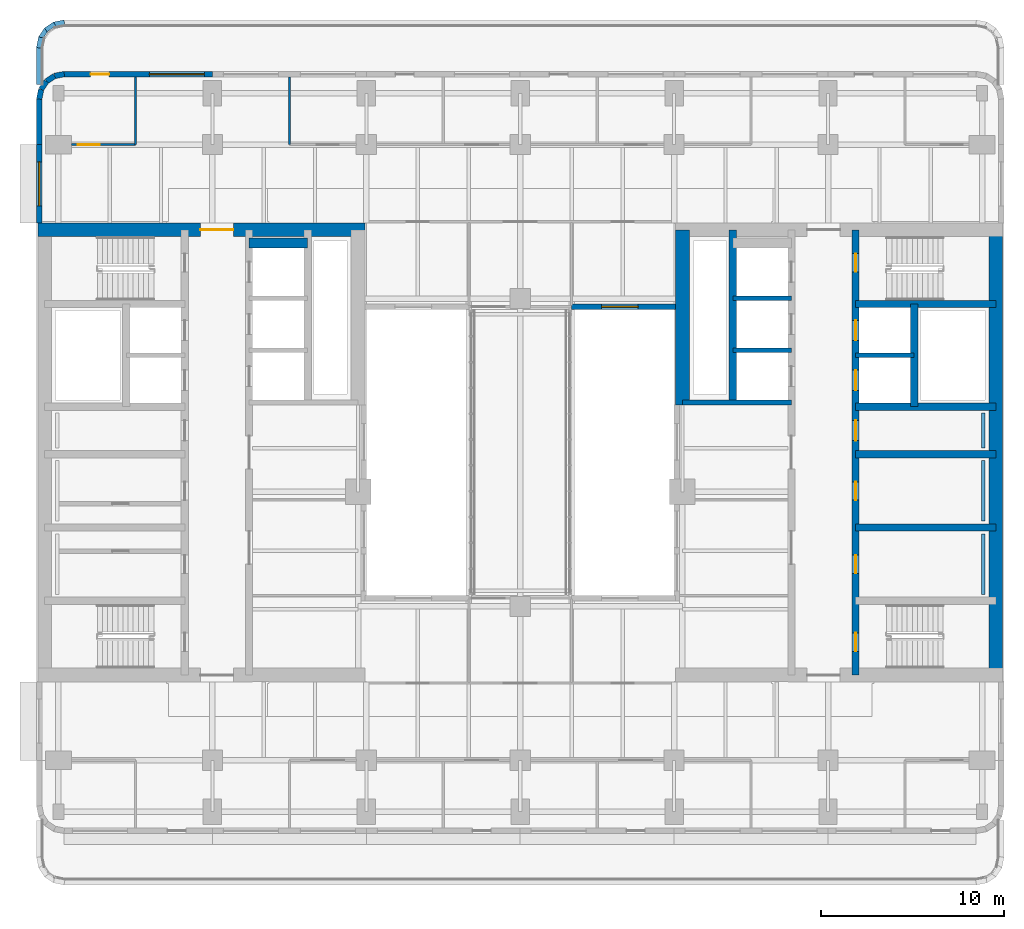
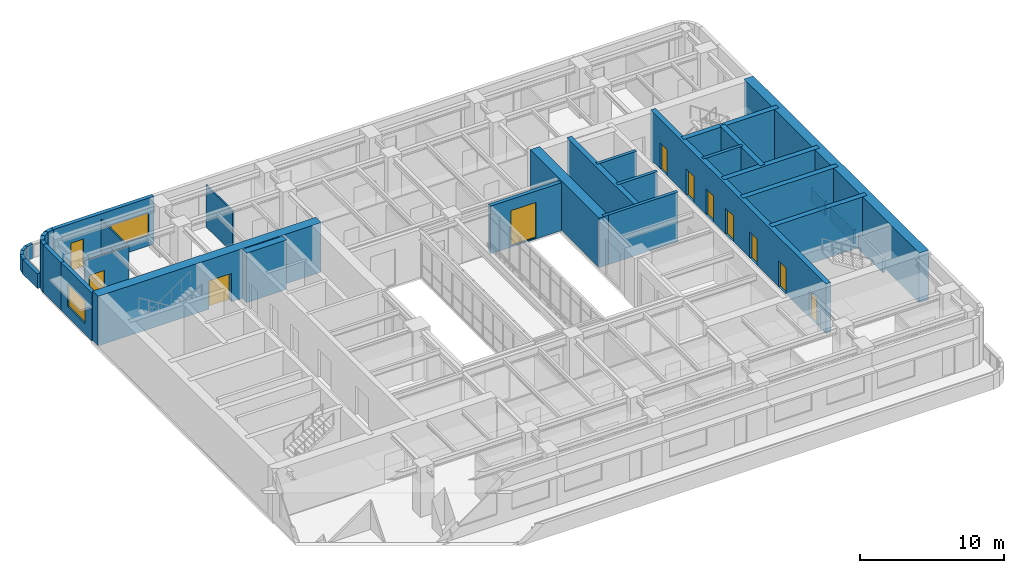
# One storey, part 9 of 15: 34 walls, 10 doors, 3 windows, 13 openings.
"""IFC4 building model written with IfcOpenShell, lengths in metres."""

from ifc_helpers import new_model, si_unit, direction, frame, frame_2d, origin, place, context, subcontext, project, spatial, rectangle, extrude, material, layer, layer_set, type_object, element, fill, save


model = new_model("IFC4")

# Units and contexts
model_context = context("Model", 3, precision=1e-05, world=origin(), true_north=direction((0.0, 1.0)))
body_context = subcontext(model_context, "Body", "Model", "MODEL_VIEW")
ifc_project = project(units=[si_unit("LENGTHUNIT", "METRE"), si_unit("AREAUNIT", "SQUARE_METRE"), si_unit("VOLUMEUNIT", "CUBIC_METRE"), si_unit("PLANEANGLEUNIT", "RADIAN"), si_unit("MASSUNIT", "GRAM", prefix="KILO")], contexts=[model_context])

# Site, building, storey
site_placement = place(None, origin())
site = spatial("IfcSite", under=ifc_project, at=site_placement, CompositionType="ELEMENT")
building_placement = place(site_placement, origin())
building = spatial("IfcBuilding", under=site, at=building_placement, Name="Claustro Exchange Tower", CompositionType="ELEMENT")
storey_placement = place(building_placement, frame((0.0, 0.0, 173.39990234375)))
storey = spatial("IfcBuildingStorey", under=building, at=storey_placement, Name="L39", CompositionType="ELEMENT", Elevation=173.39990234375)

# Wall, opening, door
ifc_material_1 = material(Name="Laminated glass in aluminium frame", Category="aluminium")
ifc_layer_1 = layer(ifc_material_1, 0.1201171875)
ifc_layer_set_1 = layer_set([ifc_layer_1], Name="Laminated glass in aluminium frame")
wall_type_1 = type_object("IfcWallType", Name="P2 120 glazed partition", PredefinedType="PARTITIONING", material=ifc_layer_set_1)
wall_1_placement = place(storey_placement, frame((0.698974609375, 42.0, 0.0), z_axis=(0.0, 0.0, 1.0), x_axis=(1.0, 0.0, 0.0)))
wall_1 = element("IfcWall", 1, at=wall_1_placement, inside=storey, type_object=wall_type_1, Name="Partition P2 L39", PredefinedType="PARTITIONING", context=body_context, shape_type="SweptSolid", body=[
    extrude(rectangle(XDim=3.5009765625, YDim=0.1201171875, at=frame_2d((1.75048828125, 0.0))), origin(), (0.0, 0.0, 1.0), 3.550048828125),
])
opening_1_placement = place(wall_1_placement, frame((0.35107421875, 0.0, 0.0)))
opening_1 = element("IfcOpeningElement", 2, at=opening_1_placement, cuts=wall_1, Name="Opening D6", PredefinedType="OPENING", context=body_context, shape_type="SweptSolid", body=[
    extrude(rectangle(XDim=1.199951171875, YDim=2.199951171875, at=frame_2d((0.60009765625, 1.10009765625))), frame((0.0, 0.070068359375, 0.0), z_axis=(0.0, -1.0, 0.0), x_axis=(1.0, 0.0, 0.0)), (0.0, 0.0, 1.0), 0.14013671875),
])
ifc_material_2 = material(Name="Timber door, oak veneer", Category="wood")
door_type_1 = type_object("IfcDoorType", Name="D6 1200 x 2200 unequal pair door", OperationType="DOUBLE_DOOR_SINGLE_SWING_OPPOSITE_LEFT", PredefinedType="DOOR", material=ifc_material_2)
door_1_placement = place(opening_1_placement, origin())
door_1 = element("IfcDoor", 3, at=door_1_placement, inside=storey, type_object=door_type_1, Name="Door D6 L39", OperationType="DOUBLE_DOOR_SINGLE_SWING_OPPOSITE_LEFT", OverallHeight=2.199951171875, OverallWidth=1.199951171875, PredefinedType="DOOR", context=body_context, shape_type="SweptSolid", body=[
    extrude(rectangle(XDim=1.199951171875, YDim=2.199951171875, at=frame_2d((0.60009765625, 1.10009765625))), frame((0.0, 0.02490234375, 0.0), z_axis=(0.0, -1.0, 0.0), x_axis=(1.0, 0.0, 0.0)), (0.0, 0.0, 1.0), 0.050048828125),
])
fill(opening_1, door_1)

# Walls
for number, where, z_axis, x_axis, name in (
    (4, (4.199951171875, 42.0, 0.0), (0.0, 0.0, 1.0), (0.0, 1.0, 0.0), "Partition P2 L39"),
    (5, (12.60009765625, 42.0, 0.0), (0.0, 0.0, 1.0), (0.0, 1.0, 0.0), "Partition P2 L39"),
):
    element("IfcWall", number, at=place(storey_placement, frame(where, z_axis=z_axis, x_axis=x_axis)), inside=storey, type_object=wall_type_1, Name=name, PredefinedType="PARTITIONING", context=body_context, shape_type="SweptSolid", body=[
        extrude(rectangle(XDim=3.701904296875, YDim=0.1201171875, at=frame_2d((1.85107421875, 0.0))), origin(), (0.0, 0.0, 1.0), 3.550048828125),
    ])

# Wall, opening, window
ifc_material_3 = material(Name="Concrete HA-40 (C40/50), precast, white cement, acid-etched", Category="concrete")
ifc_layer_2 = layer(ifc_material_3, 0.300048828125)
ifc_layer_set_2 = layer_set([ifc_layer_2], Name="Concrete HA-40 (C40/50), precast, white cement, acid-etched")
wall_type_2 = type_object("IfcWallType", Name="PC1 300 precast concrete pier panel", PredefinedType="SOLIDWALL", material=ifc_layer_set_2)
wall_2_placement = place(storey_placement, frame((-1.050048828125, 37.72509765625, 0.0), z_axis=(0.0, 0.0, 1.0), x_axis=(0.0, 1.0, 0.0)))
wall_2 = element("IfcWall", 6, at=wall_2_placement, inside=storey, type_object=wall_type_2, Name="Precast pier panel PC1 L39", PredefinedType="SOLIDWALL", context=body_context, shape_type="SweptSolid", body=[
    extrude(rectangle(XDim=4.27490234375, YDim=0.300048828125, at=frame_2d((2.137451171875, 0.0))), origin(), (0.0, 0.0, 1.0), 4.050048828125),
])
opening_2_placement = place(wall_2_placement, frame((0.9375, 0.0, 0.89990234375)))
opening_2 = element("IfcOpeningElement", 7, at=opening_2_placement, cuts=wall_2, Name="Opening W2", PredefinedType="OPENING", context=body_context, shape_type="SweptSolid", body=[
    extrude(rectangle(XDim=2.39990234375, YDim=1.89990234375, at=frame_2d((1.199951171875, 0.949951171875))), frame((0.0, 0.159912109375, 0.0), z_axis=(0.0, -1.0, 0.0), x_axis=(1.0, 0.0, 0.0)), (0.0, 0.0, 1.0), 0.320068359375),
])
ifc_material_4 = material(Name="Aluminium frame, clear double glazing", Category="aluminium")
window_type_1 = type_object("IfcWindowType", Name="W2 2400 x 1900 window", PartitioningType="SINGLE_PANEL", PredefinedType="WINDOW", material=ifc_material_4)
window_1_placement = place(opening_2_placement, origin())
window_1 = element("IfcWindow", 8, at=window_1_placement, inside=storey, type_object=window_type_1, Name="Window W2 L39", OverallHeight=1.89990234375, OverallWidth=2.39990234375, PartitioningType="SINGLE_PANEL", PredefinedType="WINDOW", context=body_context, shape_type="SweptSolid", body=[
    extrude(rectangle(XDim=2.39990234375, YDim=1.89990234375, at=frame_2d((1.199951171875, 0.949951171875))), frame((0.0, 0.030029296875, 0.0), z_axis=(0.0, -1.0, 0.0), x_axis=(1.0, 0.0, 0.0)), (0.0, 0.0, 1.0), 0.06005859375),
])
fill(opening_2, window_1)

# Walls
wall_3_placement = place(storey_placement, frame((-1.050048828125, 42.0, 0.0), z_axis=(0.0, 0.0, 1.0), x_axis=(0.0, 1.0, 0.0)))
element("IfcWall", 9, at=wall_3_placement, inside=storey, type_object=wall_type_2, Name="Precast pier panel PC1 L39", PredefinedType="SOLIDWALL", context=body_context, shape_type="SweptSolid", body=[
    extrude(rectangle(XDim=2.485107421875, YDim=0.300048828125, at=frame_2d((1.24267578125, 0.0))), origin(), (0.0, 0.0, 1.0), 4.050048828125),
])
wall_4_placement = place(storey_placement, frame((-1.050048828125, 44.485107421875, 0.0), z_axis=(0.0, 0.0, 1.0), x_axis=(0.195073962632, 0.980788534345, 0.0)))
element("IfcWall", 10, at=wall_4_placement, inside=storey, type_object=wall_type_2, Name="Precast pier panel PC1 L39", PredefinedType="SOLIDWALL", context=body_context, shape_type="SweptSolid", body=[
    extrude(rectangle(XDim=0.540771484375, YDim=0.300048828125, at=frame_2d((0.2705078125, 0.0))), origin(), (0.0, 0.0, 1.0), 4.050048828125),
])
wall_5_placement = place(storey_placement, frame((-0.944580078125, 45.015380859375, 0.0), z_axis=(0.0, 0.0, 1.0), x_axis=(0.55534295404, 0.831621430339, 0.0)))
element("IfcWall", 11, at=wall_5_placement, inside=storey, type_object=wall_type_2, Name="Precast pier panel PC1 L39", PredefinedType="SOLIDWALL", context=body_context, shape_type="SweptSolid", body=[
    extrude(rectangle(XDim=0.52587890625, YDim=0.300048828125, at=frame_2d((0.262939453125, 0.0))), origin(), (0.0, 0.0, 1.0), 4.050048828125),
])
wall_6_placement = place(storey_placement, frame((-0.652587890625, 45.45263671875, 0.0), z_axis=(0.0, 0.0, 1.0), x_axis=(0.831692711774, 0.555236195849, 0.0)))
element("IfcWall", 12, at=wall_6_placement, inside=storey, type_object=wall_type_2, Name="Precast pier panel PC1 L39", PredefinedType="SOLIDWALL", context=body_context, shape_type="SweptSolid", body=[
    extrude(rectangle(XDim=0.525390625, YDim=0.300048828125, at=frame_2d((0.2626953125, 0.0))), origin(), (0.0, 0.0, 1.0), 4.050048828125),
])
wall_7_placement = place(storey_placement, frame((-0.215576171875, 45.744384765625, 0.0), z_axis=(0.0, 0.0, 1.0), x_axis=(0.980702050465, 0.1955082817, 0.0)))
element("IfcWall", 13, at=wall_7_placement, inside=storey, type_object=wall_type_2, Name="Precast pier panel PC1 L39", PredefinedType="SOLIDWALL", context=body_context, shape_type="SweptSolid", body=[
    extrude(rectangle(XDim=0.540771484375, YDim=0.300048828125, at=frame_2d((0.2705078125, 0.0))), origin(), (0.0, 0.0, 1.0), 4.050048828125),
])

# Wall, openings, door, window
wall_8_placement = place(storey_placement, frame((0.314697265625, 45.85009765625, 0.0), z_axis=(0.0, 0.0, 1.0), x_axis=(1.0, 0.0, 0.0)))
wall_8 = element("IfcWall", 14, at=wall_8_placement, inside=storey, type_object=wall_type_2, Name="Precast pier panel PC1 L39", PredefinedType="SOLIDWALL", context=body_context, shape_type="SweptSolid", body=[
    extrude(rectangle(XDim=8.085205078125, YDim=0.300048828125, at=frame_2d((4.04248046875, 0.0))), origin(), (0.0, 0.0, 1.0), 4.050048828125),
])
opening_3_placement = place(wall_8_placement, frame((4.642578125, 0.0, 0.89990234375)))
opening_3 = element("IfcOpeningElement", 15, at=opening_3_placement, cuts=wall_8, Name="Opening W1", PredefinedType="OPENING", context=body_context, shape_type="SweptSolid", body=[
    extrude(rectangle(XDim=3.0, YDim=1.89990234375, at=frame_2d((1.5, 0.949951171875))), frame((0.0, 0.159912109375, 0.0), z_axis=(0.0, -1.0, 0.0), x_axis=(1.0, 0.0, 0.0)), (0.0, 0.0, 1.0), 0.320068359375),
])
opening_4_placement = place(wall_8_placement, frame((1.442626953125, 0.0, 0.0)))
opening_4 = element("IfcOpeningElement", 16, at=opening_4_placement, cuts=wall_8, Name="Opening D-T", PredefinedType="OPENING", context=body_context, shape_type="SweptSolid", body=[
    extrude(rectangle(XDim=1.0, YDim=2.39990234375, at=frame_2d((0.5, 1.199951171875))), frame((0.0, 0.159912109375, 0.0), z_axis=(0.0, -1.0, 0.0), x_axis=(1.0, 0.0, 0.0)), (0.0, 0.0, 1.0), 0.320068359375),
])
ifc_material_5 = material(Name="Aluminium frame, clear double glazing", Category="aluminium")
door_type_2 = type_object("IfcDoorType", Name="D-T 1000 x 2400 terrace door", OperationType="SINGLE_SWING_LEFT", PredefinedType="DOOR", material=ifc_material_5)
door_2_placement = place(opening_4_placement, origin())
door_2 = element("IfcDoor", 17, at=door_2_placement, inside=storey, type_object=door_type_2, Name="Terrace door D-T L39", OperationType="SINGLE_SWING_LEFT", OverallHeight=2.39990234375, OverallWidth=1.0, PredefinedType="DOOR", context=body_context, shape_type="SweptSolid", body=[
    extrude(rectangle(XDim=1.0, YDim=2.39990234375, at=frame_2d((0.5, 1.199951171875))), frame((0.0, 0.02490234375, 0.0), z_axis=(0.0, -1.0, 0.0), x_axis=(1.0, 0.0, 0.0)), (0.0, 0.0, 1.0), 0.050048828125),
])
fill(opening_4, door_2)
ifc_material_6 = material(Name="Aluminium frame, clear double glazing", Category="aluminium")
window_type_2 = type_object("IfcWindowType", Name="W1 3000 x 1900 window", PartitioningType="SINGLE_PANEL", PredefinedType="WINDOW", material=ifc_material_6)
window_2_placement = place(opening_3_placement, origin())
window_2 = element("IfcWindow", 18, at=window_2_placement, inside=storey, type_object=window_type_2, Name="Window W1 L39", OverallHeight=1.89990234375, OverallWidth=3.0, PartitioningType="SINGLE_PANEL", PredefinedType="WINDOW", context=body_context, shape_type="SweptSolid", body=[
    extrude(rectangle(XDim=3.0, YDim=1.89990234375, at=frame_2d((1.5, 0.949951171875))), frame((0.0, 0.030029296875, 0.0), z_axis=(0.0, -1.0, 0.0), x_axis=(1.0, 0.0, 0.0)), (0.0, 0.0, 1.0), 0.06005859375),
])
fill(opening_3, window_2)

# Wall, opening, window
wall_9_placement = place(storey_placement, frame((28.0, 33.14990234375, 0.0), z_axis=(0.0, 0.0, 1.0), x_axis=(1.0, 0.0, 0.0)))
wall_9 = element("IfcWall", 19, at=wall_9_placement, inside=storey, type_object=wall_type_2, Name="Precast pier panel PC1 L39", PredefinedType="SOLIDWALL", context=body_context, shape_type="SweptSolid", body=[
    extrude(rectangle(XDim=5.675048828125, YDim=0.300048828125, at=frame_2d((2.83740234375, 0.0))), origin(), (0.0, 0.0, 1.0), 4.050048828125),
])
opening_5_placement = place(wall_9_placement, frame((1.637451171875, 0.0, 0.10009765625)))
opening_5 = element("IfcOpeningElement", 20, at=opening_5_placement, cuts=wall_9, Name="Opening W-A", PredefinedType="OPENING", context=body_context, shape_type="SweptSolid", body=[
    extrude(rectangle(XDim=2.0, YDim=3.0, at=frame_2d((1.0, 1.5))), frame((0.0, 0.159912109375, 0.0), z_axis=(0.0, -1.0, 0.0), x_axis=(1.0, 0.0, 0.0)), (0.0, 0.0, 1.0), 0.320068359375),
])
ifc_material_7 = material(Name="Aluminium frame, clear double glazing", Category="aluminium")
window_type_3 = type_object("IfcWindowType", Name="W-A 2000 x 3000 arcade window", PartitioningType="SINGLE_PANEL", PredefinedType="WINDOW", material=ifc_material_7)
window_3_placement = place(opening_5_placement, origin())
window_3 = element("IfcWindow", 21, at=window_3_placement, inside=storey, type_object=window_type_3, Name="Window W-A L39", OverallHeight=3.0, OverallWidth=2.0, PartitioningType="SINGLE_PANEL", PredefinedType="WINDOW", context=body_context, shape_type="SweptSolid", body=[
    extrude(rectangle(XDim=2.0, YDim=3.0, at=frame_2d((1.0, 1.5))), frame((0.0, 0.030029296875, 0.0), z_axis=(0.0, -1.0, 0.0), x_axis=(1.0, 0.0, 0.0)), (0.0, 0.0, 1.0), 0.06005859375),
])
fill(opening_5, window_3)

# Walls
ifc_material_8 = material(Name="Concrete HA-40 (C40/50), precast, white cement, acid-etched", Category="concrete")
ifc_layer_3 = layer(ifc_material_8, 0.25)
ifc_layer_set_3 = layer_set([ifc_layer_3], Name="Concrete HA-40 (C40/50), precast, white cement, acid-etched")
wall_type_3 = type_object("IfcWallType", Name="PP1 250 precast concrete parapet", PredefinedType="PARAPET", material=ifc_layer_set_3)
for number, where, z_axis, x_axis, name in (
    (22, (-0.98193359375, 47.8046875, -0.159912109375), (0.0, 0.0, 1.0), (0.555662511211, 0.831407946579, 0.0), "Parapet PP1 roof at +173.240"),
    (23, (-0.69140625, 48.2568359375, -0.159912109375), (0.0, 0.0, 1.0), (0.831729296682, 0.555181391115, 0.0), "Parapet PP1 roof at +173.240"),
    (24, (-0.24951171875, 48.563232421875, -0.159912109375), (0.0, 0.0, 1.0), (0.980756771825, 0.195233589627, 0.0), "Parapet PP1 roof at +173.240"),
):
    element("IfcWall", number, at=place(storey_placement, frame(where, z_axis=z_axis, x_axis=x_axis)), inside=storey, type_object=wall_type_3, Name=name, PredefinedType="PARAPET", context=body_context, shape_type="SweptSolid", body=[
        extrude(rectangle(XDim=0.585205078125, YDim=0.25, at=frame_2d((0.29248046875, 0.0))), origin(), (0.0, 0.0, 1.0), 1.260009765625),
    ])
wall_10_placement = place(storey_placement, frame((-1.074951171875, 45.27685546875, -0.159912109375), z_axis=(0.0, 0.0, 1.0), x_axis=(0.0, 1.0, 0.0)))
element("IfcWall", 25, at=wall_10_placement, inside=storey, type_object=wall_type_3, Name="Parapet PP1 roof at +173.240", PredefinedType="PARAPET", context=body_context, shape_type="SweptSolid", body=[
    extrude(rectangle(XDim=2.023193359375, YDim=0.25, at=frame_2d((1.01171875, 0.0))), origin(), (0.0, 0.0, 1.0), 1.260009765625),
])
wall_11_placement = place(storey_placement, frame((-1.077392578125, 47.275634765625, -0.159912109375), z_axis=(0.0, 0.0, 1.0), x_axis=(0.195233589627, 0.980756771825, 0.0)))
element("IfcWall", 26, at=wall_11_placement, inside=storey, type_object=wall_type_3, Name="Parapet PP1 roof at +173.240", PredefinedType="PARAPET", context=body_context, shape_type="SweptSolid", body=[
    extrude(rectangle(XDim=0.585205078125, YDim=0.25, at=frame_2d((0.29248046875, 0.0))), origin(), (0.0, 0.0, 1.0), 1.260009765625),
])
ifc_material_9 = material(Name="Gypsum board on steel studs, tiled", Category="steel")
ifc_layer_4 = layer(ifc_material_9, 0.199951171875)
ifc_layer_set_4 = layer_set([ifc_layer_4], Name="Gypsum board on steel studs, tiled")
wall_type_4 = type_object("IfcWallType", Name="PW1 200 WC duct wall", PredefinedType="PLUMBINGWALL", material=ifc_layer_set_4)
for number, where, z_axis, x_axis, name in (
    (27, (50.47509765625, 17.449951171875, 0.0), (0.0, 0.0, 1.0), (0.0, 1.0, 0.0), "WC duct wall PW1 L39"),
    (28, (50.47509765625, 21.449951171875, 0.0), (0.0, 0.0, 1.0), (0.0, 1.0, 0.0), "WC duct wall PW1 L39"),
):
    element("IfcWall", number, at=place(storey_placement, frame(where, z_axis=z_axis, x_axis=x_axis)), inside=storey, type_object=wall_type_4, Name=name, PredefinedType="PLUMBINGWALL", context=body_context, shape_type="SweptSolid", body=[
        extrude(rectangle(XDim=3.300048828125, YDim=0.199951171875, at=frame_2d((1.64990234375, 0.0))), origin(), (0.0, 0.0, 1.0), 1.2001953125),
    ])
wall_12_placement = place(storey_placement, frame((50.47509765625, 25.449951171875, 0.0), z_axis=(0.0, 0.0, 1.0), x_axis=(0.0, 1.0, 0.0)))
element("IfcWall", 29, at=wall_12_placement, inside=storey, type_object=wall_type_4, Name="WC duct wall PW1 L39", PredefinedType="PLUMBINGWALL", context=body_context, shape_type="SweptSolid", body=[
    extrude(rectangle(XDim=1.900146484375, YDim=0.199951171875, at=frame_2d((0.9501953125, 0.0))), origin(), (0.0, 0.0, 1.0), 1.2001953125),
])

# Wall, opening, door
ifc_material_10 = material(Name="Concrete HA-70 (C70/85)", Category="concrete")
ifc_layer_5 = layer(ifc_material_10, 0.75)
ifc_layer_set_5 = layer_set([ifc_layer_5], Name="Concrete HA-70 (C70/85)")
wall_type_5 = type_object("IfcWallType", Name="SW2 750 core shear wall", PredefinedType="SHEAR", material=ifc_layer_set_5)
wall_13_placement = place(storey_placement, frame((-1.125, 37.35009765625, 0.0), z_axis=(0.0, 0.0, 1.0), x_axis=(1.0, 0.0, 0.0)))
wall_13 = element("IfcWall", 30, at=wall_13_placement, inside=storey, type_object=wall_type_5, Name="Core wall SW2 W core N face L39", PredefinedType="SHEAR", context=body_context, shape_type="SweptSolid", body=[
    extrude(rectangle(XDim=17.85009765625, YDim=0.75, at=frame_2d((8.925048828125, 0.0))), origin(), (0.0, 0.0, 1.0), 4.2001953125),
])
opening_6_placement = place(wall_13_placement, frame((8.875, 0.0, 0.0)))
opening_6 = element("IfcOpeningElement", 31, at=opening_6_placement, cuts=wall_13, Name="Opening D3", PredefinedType="OPENING", context=body_context, shape_type="SweptSolid", body=[
    extrude(rectangle(XDim=1.800048828125, YDim=2.39990234375, at=frame_2d((0.89990234375, 1.199951171875))), frame((0.0, 0.385009765625, 0.0), z_axis=(0.0, -1.0, 0.0), x_axis=(1.0, 0.0, 0.0)), (0.0, 0.0, 1.0), 0.77001953125),
])
ifc_material_11 = material(Name="Steel fire door, painted", Category="steel")
door_type_3 = type_object("IfcDoorType", Name="D3 1800 x 2400 fire-rated lobby double door", OperationType="DOUBLE_DOOR_SINGLE_SWING", PredefinedType="DOOR", material=ifc_material_11)
door_3_placement = place(opening_6_placement, frame((1.800048828125, 0.0, 0.0), z_axis=(0.0, 0.0, 1.0), x_axis=(-1.0, 0.0, 0.0)))
door_3 = element("IfcDoor", 32, at=door_3_placement, inside=storey, type_object=door_type_3, Name="Lift lobby door D3 L39", OperationType="DOUBLE_DOOR_SINGLE_SWING", OverallHeight=2.39990234375, OverallWidth=1.800048828125, PredefinedType="DOOR", context=body_context, shape_type="SweptSolid", body=[
    extrude(rectangle(XDim=1.800048828125, YDim=2.39990234375, at=frame_2d((0.89990234375, 1.199951171875))), frame((0.0, 0.02490234375, 0.0), z_axis=(0.0, -1.0, 0.0), x_axis=(1.0, 0.0, 0.0)), (0.0, 0.0, 1.0), 0.050048828125),
])
fill(opening_6, door_3)

# Walls
ifc_material_12 = material(Name="Concrete HA-70 (C70/85)", Category="concrete")
ifc_layer_6 = layer(ifc_material_12, 0.75)
ifc_layer_set_6 = layer_set([ifc_layer_6], Name="Concrete HA-70 (C70/85)")
wall_type_6 = type_object("IfcWallType", Name="SW2X 750 exposed core shear wall, board-marked face", PredefinedType="SHEAR", material=ifc_layer_set_6)
wall_14_placement = place(storey_placement, frame((34.050048828125, 27.800048828125, 0.0), z_axis=(0.0, 0.0, 1.0), x_axis=(0.0, 1.0, 0.0)))
element("IfcWall", 33, at=wall_14_placement, inside=storey, type_object=wall_type_6, Name="Core wall SW2X E core W face L39", PredefinedType="SHEAR", context=body_context, shape_type="SweptSolid", body=[
    extrude(rectangle(XDim=9.550048828125, YDim=0.75, at=frame_2d((4.77490234375, 0.0))), origin(), (0.0, 0.0, 1.0), 4.2001953125),
])
wall_15_placement = place(storey_placement, frame((51.14990234375, 13.050048828125, 0.0), z_axis=(0.0, 0.0, 1.0), x_axis=(0.0, 1.0, 0.0)))
element("IfcWall", 34, at=wall_15_placement, inside=storey, type_object=wall_type_6, Name="Core wall SW2X E core E face L39", PredefinedType="SHEAR", context=body_context, shape_type="SweptSolid", body=[
    extrude(rectangle(XDim=24.300048828125, YDim=0.75, at=frame_2d((12.14990234375, 0.0))), origin(), (0.0, 0.0, 1.0), 4.2001953125),
])

# Wall, openings, doors
ifc_material_13 = material(Name="Concrete HA-50 (C50/60)", Category="concrete")
ifc_layer_7 = layer(ifc_material_13, 0.39990234375)
ifc_layer_set_7 = layer_set([ifc_layer_7], Name="Concrete HA-50 (C50/60)")
wall_type_7 = type_object("IfcWallType", Name="SW4 400 internal core wall", PredefinedType="SHEAR", material=ifc_layer_set_7)
wall_16_placement = place(storey_placement, frame((43.5, 13.050048828125, 0.0), z_axis=(0.0, 0.0, 1.0), x_axis=(0.0, 1.0, 0.0)))
wall_16 = element("IfcWall", 35, at=wall_16_placement, inside=storey, type_object=wall_type_7, Name="Internal core wall SW4 E core L39", PredefinedType="SHEAR", context=body_context, shape_type="SweptSolid", body=[
    extrude(rectangle(XDim=24.300048828125, YDim=0.39990234375, at=frame_2d((12.14990234375, 0.0))), origin(), (0.0, 0.0, 1.0), 4.2001953125),
])
opening_7_placement = place(wall_16_placement, frame((1.300048828125, 0.0, 0.0)))
opening_7 = element("IfcOpeningElement", 36, at=opening_7_placement, cuts=wall_16, Name="Opening D4", PredefinedType="OPENING", context=body_context, shape_type="SweptSolid", body=[
    extrude(rectangle(XDim=1.0, YDim=2.199951171875, at=frame_2d((0.5, 1.10009765625))), frame((0.0, 0.2099609375, 0.0), z_axis=(0.0, -1.0, 0.0), x_axis=(1.0, 0.0, 0.0)), (0.0, 0.0, 1.0), 0.419921875),
])
opening_8_placement = place(wall_16_placement, frame((22.0, 0.0, 0.0)))
opening_8 = element("IfcOpeningElement", 37, at=opening_8_placement, cuts=wall_16, Name="Opening D4", PredefinedType="OPENING", context=body_context, shape_type="SweptSolid", body=[
    extrude(rectangle(XDim=1.0, YDim=2.199951171875, at=frame_2d((0.5, 1.10009765625))), frame((0.0, 0.2099609375, 0.0), z_axis=(0.0, -1.0, 0.0), x_axis=(1.0, 0.0, 0.0)), (0.0, 0.0, 1.0), 0.419921875),
])
opening_9_placement = place(wall_16_placement, frame((5.550048828125, 0.0, 0.0)))
opening_9 = element("IfcOpeningElement", 38, at=opening_9_placement, cuts=wall_16, Name="Opening D1", PredefinedType="OPENING", context=body_context, shape_type="SweptSolid", body=[
    extrude(rectangle(XDim=1.0, YDim=2.199951171875, at=frame_2d((0.5, 1.10009765625))), frame((0.0, 0.2099609375, 0.0), z_axis=(0.0, -1.0, 0.0), x_axis=(1.0, 0.0, 0.0)), (0.0, 0.0, 1.0), 0.419921875),
])
opening_10_placement = place(wall_16_placement, frame((9.550048828125, 0.0, 0.0)))
opening_10 = element("IfcOpeningElement", 39, at=opening_10_placement, cuts=wall_16, Name="Opening D1", PredefinedType="OPENING", context=body_context, shape_type="SweptSolid", body=[
    extrude(rectangle(XDim=1.0, YDim=2.199951171875, at=frame_2d((0.5, 1.10009765625))), frame((0.0, 0.2099609375, 0.0), z_axis=(0.0, -1.0, 0.0), x_axis=(1.0, 0.0, 0.0)), (0.0, 0.0, 1.0), 0.419921875),
])
opening_11_placement = place(wall_16_placement, frame((12.800048828125, 0.0, 0.0)))
opening_11 = element("IfcOpeningElement", 40, at=opening_11_placement, cuts=wall_16, Name="Opening D10", PredefinedType="OPENING", context=body_context, shape_type="SweptSolid", body=[
    extrude(rectangle(XDim=1.10009765625, YDim=2.199951171875, at=frame_2d((0.550048828125, 1.10009765625))), frame((0.0, 0.2099609375, 0.0), z_axis=(0.0, -1.0, 0.0), x_axis=(1.0, 0.0, 0.0)), (0.0, 0.0, 1.0), 0.419921875),
])
opening_12_placement = place(wall_16_placement, frame((15.53759765625, 0.0, 0.0)))
opening_12 = element("IfcOpeningElement", 41, at=opening_12_placement, cuts=wall_16, Name="Opening LD", PredefinedType="OPENING", context=body_context, shape_type="SweptSolid", body=[
    extrude(rectangle(XDim=1.10009765625, YDim=2.199951171875, at=frame_2d((0.550048828125, 1.10009765625))), frame((0.0, 0.2099609375, 0.0), z_axis=(0.0, -1.0, 0.0), x_axis=(1.0, 0.0, 0.0)), (0.0, 0.0, 1.0), 0.419921875),
])
opening_13_placement = place(wall_16_placement, frame((18.262451171875, 0.0, 0.0)))
opening_13 = element("IfcOpeningElement", 42, at=opening_13_placement, cuts=wall_16, Name="Opening LD", PredefinedType="OPENING", context=body_context, shape_type="SweptSolid", body=[
    extrude(rectangle(XDim=1.10009765625, YDim=2.199951171875, at=frame_2d((0.550048828125, 1.10009765625))), frame((0.0, 0.2099609375, 0.0), z_axis=(0.0, -1.0, 0.0), x_axis=(1.0, 0.0, 0.0)), (0.0, 0.0, 1.0), 0.419921875),
])
ifc_material_14 = material(Name="Timber door, oak veneer", Category="wood")
door_type_4 = type_object("IfcDoorType", Name="D1 1000 x 2200 single door", OperationType="SINGLE_SWING_LEFT", PredefinedType="DOOR", material=ifc_material_14)
door_4_placement = place(opening_9_placement, frame((1.0, 0.0, 0.0), z_axis=(0.0, 0.0, 1.0), x_axis=(-1.0, 0.0, 0.0)))
door_4 = element("IfcDoor", 43, at=door_4_placement, inside=storey, type_object=door_type_4, Name="Door D1 L39", OperationType="SINGLE_SWING_LEFT", OverallHeight=2.199951171875, OverallWidth=1.0, PredefinedType="DOOR", context=body_context, shape_type="SweptSolid", body=[
    extrude(rectangle(XDim=1.0, YDim=2.199951171875, at=frame_2d((0.5, 1.10009765625))), frame((0.0, 0.02490234375, 0.0), z_axis=(0.0, -1.0, 0.0), x_axis=(1.0, 0.0, 0.0)), (0.0, 0.0, 1.0), 0.050048828125),
])
fill(opening_9, door_4)
door_5_placement = place(opening_10_placement, frame((1.0, 0.0, 0.0), z_axis=(0.0, 0.0, 1.0), x_axis=(-1.0, 0.0, 0.0)))
door_5 = element("IfcDoor", 44, at=door_5_placement, inside=storey, type_object=door_type_4, Name="Door D1 L39", OperationType="SINGLE_SWING_LEFT", OverallHeight=2.199951171875, OverallWidth=1.0, PredefinedType="DOOR", context=body_context, shape_type="SweptSolid", body=[
    extrude(rectangle(XDim=1.0, YDim=2.199951171875, at=frame_2d((0.5, 1.10009765625))), frame((0.0, 0.02490234375, 0.0), z_axis=(0.0, -1.0, 0.0), x_axis=(1.0, 0.0, 0.0)), (0.0, 0.0, 1.0), 0.050048828125),
])
fill(opening_10, door_5)
ifc_material_15 = material(Name="Timber door, oak veneer", Category="wood")
door_type_5 = type_object("IfcDoorType", Name="D10 1100 x 2200 accessible WC door", OperationType="SINGLE_SWING_LEFT", PredefinedType="DOOR", material=ifc_material_15)
door_6_placement = place(opening_11_placement, origin())
door_6 = element("IfcDoor", 45, at=door_6_placement, inside=storey, type_object=door_type_5, Name="Accessible WC door D10 L39", OperationType="SINGLE_SWING_RIGHT", OverallHeight=2.199951171875, OverallWidth=1.10009765625, PredefinedType="DOOR", context=body_context, shape_type="SweptSolid", body=[
    extrude(rectangle(XDim=1.10009765625, YDim=2.199951171875, at=frame_2d((0.550048828125, 1.10009765625))), frame((0.0, 0.02490234375, 0.0), z_axis=(0.0, -1.0, 0.0), x_axis=(1.0, 0.0, 0.0)), (0.0, 0.0, 1.0), 0.050048828125),
])
fill(opening_11, door_6)
ifc_material_16 = material(Name="Steel fire door, painted", Category="steel")
door_type_6 = type_object("IfcDoorType", Name="D4 1000 x 2200 fire-rated stair door", OperationType="SINGLE_SWING_LEFT", PredefinedType="DOOR", material=ifc_material_16)
door_7_placement = place(opening_7_placement, frame((1.0, 0.0, 0.0), z_axis=(0.0, 0.0, 1.0), x_axis=(-1.0, 0.0, 0.0)))
door_7 = element("IfcDoor", 46, at=door_7_placement, inside=storey, type_object=door_type_6, Name="Stair door D4 L39", OperationType="SINGLE_SWING_RIGHT", OverallHeight=2.199951171875, OverallWidth=1.0, PredefinedType="DOOR", context=body_context, shape_type="SweptSolid", body=[
    extrude(rectangle(XDim=1.0, YDim=2.199951171875, at=frame_2d((0.5, 1.10009765625))), frame((0.0, 0.02490234375, 0.0), z_axis=(0.0, -1.0, 0.0), x_axis=(1.0, 0.0, 0.0)), (0.0, 0.0, 1.0), 0.050048828125),
])
fill(opening_7, door_7)
door_8_placement = place(opening_8_placement, frame((1.0, 0.0, 0.0), z_axis=(0.0, 0.0, 1.0), x_axis=(-1.0, 0.0, 0.0)))
door_8 = element("IfcDoor", 47, at=door_8_placement, inside=storey, type_object=door_type_6, Name="Stair door D4 L39", OperationType="SINGLE_SWING_LEFT", OverallHeight=2.199951171875, OverallWidth=1.0, PredefinedType="DOOR", context=body_context, shape_type="SweptSolid", body=[
    extrude(rectangle(XDim=1.0, YDim=2.199951171875, at=frame_2d((0.5, 1.10009765625))), frame((0.0, 0.02490234375, 0.0), z_axis=(0.0, -1.0, 0.0), x_axis=(1.0, 0.0, 0.0)), (0.0, 0.0, 1.0), 0.050048828125),
])
fill(opening_8, door_8)
ifc_material_17 = material(Name="Stainless steel sliding door", Category="steel")
door_type_7 = type_object("IfcDoorType", Name="LD 1100 x 2200 lift landing door", OperationType="DOUBLE_DOOR_SLIDING", PredefinedType="DOOR", material=ifc_material_17)
door_9_placement = place(opening_12_placement, origin())
door_9 = element("IfcDoor", 48, at=door_9_placement, inside=storey, type_object=door_type_7, Name="Lift landing door LEE1 LD L39", OperationType="DOUBLE_DOOR_SLIDING", OverallHeight=2.199951171875, OverallWidth=1.10009765625, PredefinedType="DOOR", context=body_context, shape_type="SweptSolid", body=[
    extrude(rectangle(XDim=1.10009765625, YDim=2.199951171875, at=frame_2d((0.550048828125, 1.10009765625))), frame((0.0, 0.02490234375, 0.0), z_axis=(0.0, -1.0, 0.0), x_axis=(1.0, 0.0, 0.0)), (0.0, 0.0, 1.0), 0.050048828125),
])
fill(opening_12, door_9)
door_10_placement = place(opening_13_placement, origin())
door_10 = element("IfcDoor", 49, at=door_10_placement, inside=storey, type_object=door_type_7, Name="Lift landing door LEE2 LD L39", OperationType="DOUBLE_DOOR_SLIDING", OverallHeight=2.199951171875, OverallWidth=1.10009765625, PredefinedType="DOOR", context=body_context, shape_type="SweptSolid", body=[
    extrude(rectangle(XDim=1.10009765625, YDim=2.199951171875, at=frame_2d((0.550048828125, 1.10009765625))), frame((0.0, 0.02490234375, 0.0), z_axis=(0.0, -1.0, 0.0), x_axis=(1.0, 0.0, 0.0)), (0.0, 0.0, 1.0), 0.050048828125),
])
fill(opening_13, door_10)

# Walls
wall_17_placement = place(storey_placement, frame((36.800048828125, 27.925048828125, 0.0), z_axis=(0.0, 0.0, 1.0), x_axis=(0.0, 1.0, 0.0)))
element("IfcWall", 50, at=wall_17_placement, inside=storey, type_object=wall_type_7, Name="Internal core wall SW4 E core L39", PredefinedType="SHEAR", context=body_context, shape_type="SweptSolid", body=[
    extrude(rectangle(XDim=9.425048828125, YDim=0.39990234375, at=frame_2d((4.71240234375, 0.0))), origin(), (0.0, 0.0, 1.0), 4.2001953125),
])
for number, where, z_axis, x_axis, name in (
    (51, (51.14990234375, 21.10009765625, 0.0), (0.0, 0.0, 1.0), (-1.0, 0.0, 0.0), "Internal core wall SW4 E core L39"),
    (52, (51.14990234375, 25.10009765625, 0.0), (0.0, 0.0, 1.0), (-1.0, 0.0, 0.0), "Internal core wall SW4 E core L39"),
    (53, (51.14990234375, 27.699951171875, 0.0), (0.0, 0.0, 1.0), (-1.0, 0.0, 0.0), "Internal core wall SW4 E core L39"),
    (54, (51.14990234375, 33.300048828125, 0.0), (0.0, 0.0, 1.0), (-1.0, 0.0, 0.0), "Internal core wall SW4 E core L39"),
):
    element("IfcWall", number, at=place(storey_placement, frame(where, z_axis=z_axis, x_axis=x_axis)), inside=storey, type_object=wall_type_7, Name=name, PredefinedType="SHEAR", context=body_context, shape_type="SweptSolid", body=[
        extrude(rectangle(XDim=7.64990234375, YDim=0.39990234375, at=frame_2d((3.824951171875, 0.0))), origin(), (0.0, 0.0, 1.0), 4.2001953125),
    ])
wall_18_placement = place(storey_placement, frame((46.699951171875, 27.699951171875, 0.0), z_axis=(0.0, 0.0, 1.0), x_axis=(0.0, 1.0, 0.0)))
element("IfcWall", 55, at=wall_18_placement, inside=storey, type_object=wall_type_7, Name="Internal core wall SW4 E core L39", PredefinedType="SHEAR", context=body_context, shape_type="SweptSolid", body=[
    extrude(rectangle(XDim=5.60009765625, YDim=0.39990234375, at=frame_2d((2.800048828125, 0.0))), origin(), (0.0, 0.0, 1.0), 4.2001953125),
])
ifc_material_18 = material(Name="Concrete HA-50 (C50/60)", Category="concrete")
ifc_layer_8 = layer(ifc_material_18, 0.25)
ifc_layer_set_8 = layer_set([ifc_layer_8], Name="Concrete HA-50 (C50/60)")
wall_type_8 = type_object("IfcWallType", Name="SW5 250 lift shaft divider wall", PredefinedType="SHEAR", material=ifc_layer_set_8)
wall_19_placement = place(storey_placement, frame((46.699951171875, 30.5, 0.0), z_axis=(0.0, 0.0, 1.0), x_axis=(-1.0, 0.0, 0.0)))
element("IfcWall", 56, at=wall_19_placement, inside=storey, type_object=wall_type_8, Name="Lift shaft wall E core L39", PredefinedType="SHEAR", context=body_context, shape_type="SweptSolid", body=[
    extrude(rectangle(XDim=3.199951171875, YDim=0.25, at=frame_2d((1.60009765625, 0.0))), origin(), (0.0, 0.0, 1.0), 4.2001953125),
])
wall_20_placement = place(storey_placement, frame((40.0, 27.925048828125, 0.0), z_axis=(0.0, 0.0, 1.0), x_axis=(-1.0, 0.0, 0.0)))
element("IfcWall", 57, at=wall_20_placement, inside=storey, type_object=wall_type_8, Name="Core step wall E core L39", PredefinedType="SHEAR", context=body_context, shape_type="SweptSolid", body=[
    extrude(rectangle(XDim=5.949951171875, YDim=0.25, at=frame_2d((2.97509765625, 0.0))), origin(), (0.0, 0.0, 1.0), 4.2001953125),
])
for number, where, z_axis, x_axis, name in (
    (58, (40.0, 30.77490234375, 0.0), (0.0, 0.0, 1.0), (-1.0, 0.0, 0.0), "Lift shaft wall E core L39"),
    (59, (40.0, 33.625, 0.0), (0.0, 0.0, 1.0), (-1.0, 0.0, 0.0), "Lift shaft wall E core L39"),
):
    element("IfcWall", number, at=place(storey_placement, frame(where, z_axis=z_axis, x_axis=x_axis)), inside=storey, type_object=wall_type_8, Name=name, PredefinedType="SHEAR", context=body_context, shape_type="SweptSolid", body=[
        extrude(rectangle(XDim=3.199951171875, YDim=0.25, at=frame_2d((1.60009765625, 0.0))), origin(), (0.0, 0.0, 1.0), 4.2001953125),
    ])
ifc_material_19 = material(Name="Concrete HA-50 (C50/60)", Category="concrete")
ifc_layer_9 = layer(ifc_material_19, 0.550048828125)
ifc_layer_set_9 = layer_set([ifc_layer_9], Name="Concrete HA-50 (C50/60)")
wall_type_9 = type_object("IfcWallType", Name="SW6 550 lift shaft end wall", PredefinedType="SHEAR", material=ifc_layer_set_9)
wall_21_placement = place(storey_placement, frame((10.39990234375, 36.625, 0.0), z_axis=(0.0, 0.0, 1.0), x_axis=(1.0, 0.0, 0.0)))
element("IfcWall", 60, at=wall_21_placement, inside=storey, type_object=wall_type_9, Name="Lift shaft wall W core L39", PredefinedType="SHEAR", context=body_context, shape_type="SweptSolid", body=[
    extrude(rectangle(XDim=3.2001953125, YDim=0.550048828125, at=frame_2d((1.60009765625, 0.0))), origin(), (0.0, 0.0, 1.0), 4.2001953125),
])

save(model, "model.ifc")
